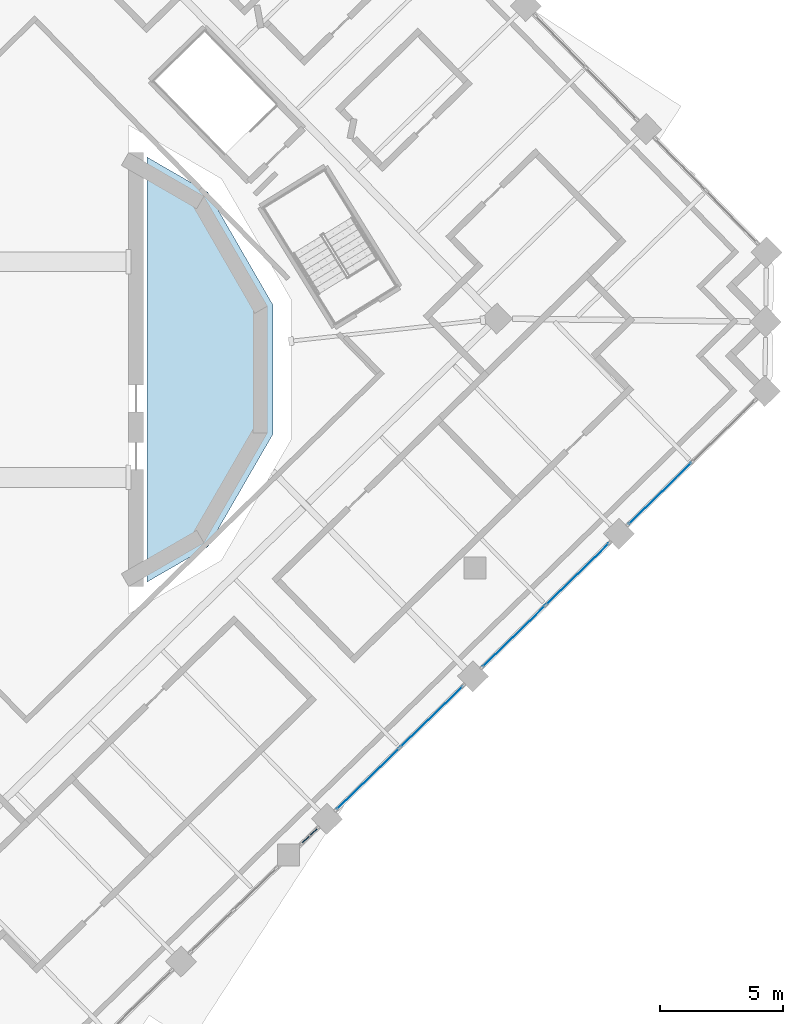
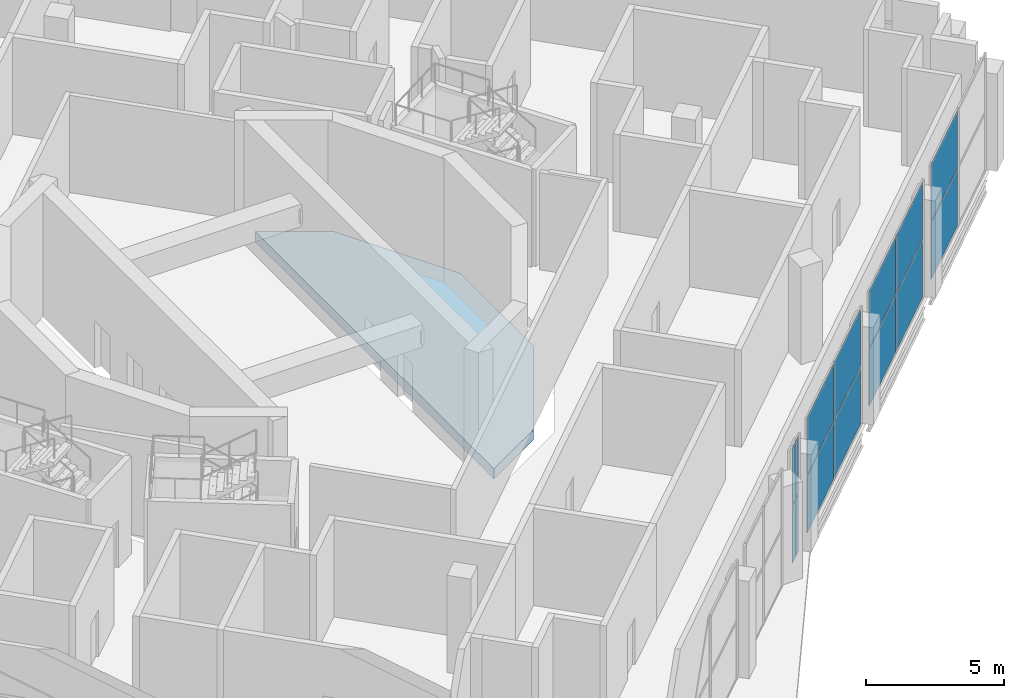
# One storey, part 11 of 20: 14 plates, 1 slab, 4 elements without a shape of their own.
"""IFC4 building model written with IfcOpenShell, lengths in metres."""

from ifc_helpers import new_model, si_unit, direction, frame, origin, origin_2d, place, context, subcontext, project, spatial, polyline, rectangle, outline, extrude, material, layer, layer_set, type_object, element, aggregate, save


model = new_model("IFC4")

# Units and contexts
model_context = context("Model", 3, precision=1e-05, world=origin(), true_north=direction((0.0, 1.0)))
body_context = subcontext(model_context, "Body", "Model", "MODEL_VIEW")
ifc_project = project(units=[si_unit("LENGTHUNIT", "METRE"), si_unit("AREAUNIT", "SQUARE_METRE"), si_unit("VOLUMEUNIT", "CUBIC_METRE"), si_unit("PLANEANGLEUNIT", "RADIAN"), si_unit("MASSUNIT", "GRAM", prefix="KILO")], contexts=[model_context])

# Site, building, storey
site_placement = place(None, origin())
site = spatial("IfcSite", under=ifc_project, at=site_placement, CompositionType="ELEMENT")
building_placement = place(site_placement, origin())
building = spatial("IfcBuilding", under=site, at=building_placement, Name="Cantera Rosa Tower", CompositionType="ELEMENT")
storey_placement = place(building_placement, frame((0.0, 0.0, 245.0)))
storey = spatial("IfcBuildingStorey", under=building, at=storey_placement, Name="L54", CompositionType="ELEMENT", Elevation=245.0)

# Curtain wall, plates
ifc_material_1 = material(Name="Anodised aluminium louvre", Category="aluminium")
curtain_wall_type = type_object("IfcCurtainWallType", Name="CW3 REFUGE LOUVRE WALL", PredefinedType="NOTDEFINED", material=ifc_material_1)
curtain_wall_1_placement = place(storey_placement, origin())
curtain_wall_1 = element("IfcCurtainWall", 1, at=curtain_wall_1_placement, inside=storey, type_object=curtain_wall_type, Name="CW3 CW3", PredefinedType="NOTDEFINED")
ifc_material_2 = material(Name="Anodised aluminium louvre", Category="aluminium")
ifc_layer_1 = layer(ifc_material_2, 0.028076171875)
ifc_layer_set_1 = layer_set([ifc_layer_1], Name="CW-PANEL REFUGE")
plate_type = type_object("IfcPlateType", Name="CW-PANEL REFUGE", PredefinedType="CURTAIN_PANEL", material=ifc_layer_set_1)
plate_1_placement = place(storey_placement, frame((11.22509765625, -19.160888671875, 0.06005859375), z_axis=(0.0, 0.0, 1.0), x_axis=(0.715286290948, 0.698831540489, 0.0)))
plate_1 = element("IfcPlate", 2, at=plate_1_placement, type_object=plate_type, Name="CW3 panel 1.1", PredefinedType="CURTAIN_PANEL", context=body_context, shape_type="SweptSolid", body=[
    extrude(rectangle(XDim=0.360595703125, YDim=0.028076171875, at=origin_2d()), origin(), (0.0, 0.0, 1.0), 2.510009765625),
])
plate_2_placement = place(storey_placement, frame((11.22509765625, -19.160888671875, 2.6298828125), z_axis=(0.0, 0.0, 1.0), x_axis=(0.715286290948, 0.698831540489, 0.0)))
plate_2 = element("IfcPlate", 3, at=plate_2_placement, type_object=plate_type, Name="CW3 panel 1.2", PredefinedType="CURTAIN_PANEL", context=body_context, shape_type="SweptSolid", body=[
    extrude(rectangle(XDim=0.360595703125, YDim=0.028076171875, at=origin_2d()), origin(), (0.0, 0.0, 1.0), 2.510009765625),
])
plate_3_placement = place(storey_placement, frame((11.540283203125, -18.852783203125, 0.06005859375), z_axis=(0.0, 0.0, 1.0), x_axis=(0.715286290948, 0.698831540489, 0.0)))
plate_3 = element("IfcPlate", 4, at=plate_3_placement, type_object=plate_type, Name="CW3 panel 2.1", PredefinedType="CURTAIN_PANEL", context=body_context, shape_type="SweptSolid", body=[
    extrude(rectangle(XDim=0.360595703125, YDim=0.028076171875, at=origin_2d()), origin(), (0.0, 0.0, 1.0), 2.510009765625),
])
plate_4_placement = place(storey_placement, frame((11.540283203125, -18.852783203125, 2.6298828125), z_axis=(0.0, 0.0, 1.0), x_axis=(0.715286290948, 0.698831540489, 0.0)))
plate_4 = element("IfcPlate", 5, at=plate_4_placement, type_object=plate_type, Name="CW3 panel 2.2", PredefinedType="CURTAIN_PANEL", context=body_context, shape_type="SweptSolid", body=[
    extrude(rectangle(XDim=0.360595703125, YDim=0.028076171875, at=origin_2d()), origin(), (0.0, 0.0, 1.0), 2.510009765625),
])
aggregate(curtain_wall_1, [plate_1, plate_2, plate_3, plate_4])

curtain_wall_2_placement = place(storey_placement, origin())
curtain_wall_2 = element("IfcCurtainWall", 6, at=curtain_wall_2_placement, inside=storey, type_object=curtain_wall_type, Name="CW3 CW3", PredefinedType="NOTDEFINED")
plate_5_placement = place(storey_placement, frame((13.76513671875, -16.67919921875, 0.06005859375), z_axis=(0.0, 0.0, 1.0), x_axis=(0.715286291058, 0.698831540376, 0.0)))
plate_5 = element("IfcPlate", 7, at=plate_5_placement, type_object=plate_type, Name="CW3 panel 1.1", PredefinedType="CURTAIN_PANEL", context=body_context, shape_type="SweptSolid", body=[
    extrude(rectangle(XDim=3.5400390625, YDim=0.028076171875, at=origin_2d()), origin(), (0.0, 0.0, 1.0), 2.510009765625),
])
plate_6_placement = place(storey_placement, frame((13.76513671875, -16.67919921875, 2.6298828125), z_axis=(0.0, 0.0, 1.0), x_axis=(0.715286291058, 0.698831540376, 0.0)))
plate_6 = element("IfcPlate", 8, at=plate_6_placement, type_object=plate_type, Name="CW3 panel 1.2", PredefinedType="CURTAIN_PANEL", context=body_context, shape_type="SweptSolid", body=[
    extrude(rectangle(XDim=3.5400390625, YDim=0.028076171875, at=origin_2d()), origin(), (0.0, 0.0, 1.0), 2.510009765625),
])
plate_7_placement = place(storey_placement, frame((16.3544921875, -14.1494140625, 0.06005859375), z_axis=(0.0, 0.0, 1.0), x_axis=(0.715286291058, 0.698831540376, 0.0)))
plate_7 = element("IfcPlate", 9, at=plate_7_placement, type_object=plate_type, Name="CW3 panel 2.1", PredefinedType="CURTAIN_PANEL", context=body_context, shape_type="SweptSolid", body=[
    extrude(rectangle(XDim=3.5400390625, YDim=0.028076171875, at=origin_2d()), origin(), (0.0, 0.0, 1.0), 2.510009765625),
])
plate_8_placement = place(storey_placement, frame((16.3544921875, -14.1494140625, 2.6298828125), z_axis=(0.0, 0.0, 1.0), x_axis=(0.715286291058, 0.698831540376, 0.0)))
plate_8 = element("IfcPlate", 10, at=plate_8_placement, type_object=plate_type, Name="CW3 panel 2.2", PredefinedType="CURTAIN_PANEL", context=body_context, shape_type="SweptSolid", body=[
    extrude(rectangle(XDim=3.5400390625, YDim=0.028076171875, at=origin_2d()), origin(), (0.0, 0.0, 1.0), 2.510009765625),
])
aggregate(curtain_wall_2, [plate_5, plate_6, plate_7, plate_8])

curtain_wall_3_placement = place(storey_placement, origin())
curtain_wall_3 = element("IfcCurtainWall", 11, at=curtain_wall_3_placement, inside=storey, type_object=curtain_wall_type, Name="CW3 CW3", PredefinedType="NOTDEFINED")
plate_9_placement = place(storey_placement, frame((19.71630859375, -10.864990234375, 0.06005859375), z_axis=(0.0, 0.0, 1.0), x_axis=(0.715286291131, 0.698831540301, 0.0)))
plate_9 = element("IfcPlate", 12, at=plate_9_placement, type_object=plate_type, Name="CW3 panel 1.1", PredefinedType="CURTAIN_PANEL", context=body_context, shape_type="SweptSolid", body=[
    extrude(rectangle(XDim=3.5400390625, YDim=0.028076171875, at=origin_2d()), origin(), (0.0, 0.0, 1.0), 2.510009765625),
])
plate_10_placement = place(storey_placement, frame((19.71630859375, -10.864990234375, 2.6298828125), z_axis=(0.0, 0.0, 1.0), x_axis=(0.715286291131, 0.698831540301, 0.0)))
plate_10 = element("IfcPlate", 13, at=plate_10_placement, type_object=plate_type, Name="CW3 panel 1.2", PredefinedType="CURTAIN_PANEL", context=body_context, shape_type="SweptSolid", body=[
    extrude(rectangle(XDim=3.5400390625, YDim=0.028076171875, at=origin_2d()), origin(), (0.0, 0.0, 1.0), 2.510009765625),
])
plate_11_placement = place(storey_placement, frame((22.3056640625, -8.335205078125, 0.06005859375), z_axis=(0.0, 0.0, 1.0), x_axis=(0.715286291131, 0.698831540301, 0.0)))
plate_11 = element("IfcPlate", 14, at=plate_11_placement, type_object=plate_type, Name="CW3 panel 2.1", PredefinedType="CURTAIN_PANEL", context=body_context, shape_type="SweptSolid", body=[
    extrude(rectangle(XDim=3.5400390625, YDim=0.028076171875, at=origin_2d()), origin(), (0.0, 0.0, 1.0), 2.510009765625),
])
plate_12_placement = place(storey_placement, frame((22.3056640625, -8.335205078125, 2.6298828125), z_axis=(0.0, 0.0, 1.0), x_axis=(0.715286291131, 0.698831540301, 0.0)))
plate_12 = element("IfcPlate", 15, at=plate_12_placement, type_object=plate_type, Name="CW3 panel 2.2", PredefinedType="CURTAIN_PANEL", context=body_context, shape_type="SweptSolid", body=[
    extrude(rectangle(XDim=3.5400390625, YDim=0.028076171875, at=origin_2d()), origin(), (0.0, 0.0, 1.0), 2.510009765625),
])
aggregate(curtain_wall_3, [plate_9, plate_10, plate_11, plate_12])

curtain_wall_4_placement = place(storey_placement, origin())
curtain_wall_4 = element("IfcCurtainWall", 16, at=curtain_wall_4_placement, inside=storey, type_object=curtain_wall_type, Name="CW3 CW3", PredefinedType="NOTDEFINED")
plate_13_placement = place(storey_placement, frame((25.66748046875, -5.05078125, 0.06005859375), z_axis=(0.0, 0.0, 1.0), x_axis=(0.715286290997, 0.698831540439, 0.0)))
plate_13 = element("IfcPlate", 17, at=plate_13_placement, type_object=plate_type, Name="CW3 panel 1.1", PredefinedType="CURTAIN_PANEL", context=body_context, shape_type="SweptSolid", body=[
    extrude(rectangle(XDim=3.5400390625, YDim=0.028076171875, at=origin_2d()), origin(), (0.0, 0.0, 1.0), 2.510009765625),
])
plate_14_placement = place(storey_placement, frame((25.66748046875, -5.05078125, 2.6298828125), z_axis=(0.0, 0.0, 1.0), x_axis=(0.715286290997, 0.698831540439, 0.0)))
plate_14 = element("IfcPlate", 18, at=plate_14_placement, type_object=plate_type, Name="CW3 panel 1.2", PredefinedType="CURTAIN_PANEL", context=body_context, shape_type="SweptSolid", body=[
    extrude(rectangle(XDim=3.5400390625, YDim=0.028076171875, at=origin_2d()), origin(), (0.0, 0.0, 1.0), 2.510009765625),
])
aggregate(curtain_wall_4, [plate_13, plate_14])

# Slab
ifc_material_3 = material(Name="Concrete C50/60", Category="concrete")
ifc_layer_2 = layer(ifc_material_3, 0.449951171875)
ifc_layer_set_2 = layer_set([ifc_layer_2], Name="RC TRANSFER PLATE 450 C50/60")
slab_type = type_object("IfcSlabType", Name="RC TRANSFER PLATE 450 C50/60", PredefinedType="FLOOR", material=ifc_layer_set_2)
slab_placement = place(storey_placement, frame((0.0, 0.0, -0.449951171875)))
element("IfcSlab", 19, at=slab_placement, inside=storey, type_object=slab_type, Name="SLAB L54 floor 3", PredefinedType="FLOOR", context=body_context, shape_type="SweptSolid", body=[
    extrude(outline(polyline([(4.75, -8.660400390625), (4.75, 8.660400390625), (7.22900390625, 7.22900390625), (9.875244140625, 2.64599609375), (9.875244140625, -2.64599609375), (7.22900390625, -7.22900390625), (4.75, -8.660400390625)])), origin(), (0.0, 0.0, 1.0), 0.449951171875),
])

save(model, "model.ifc")
